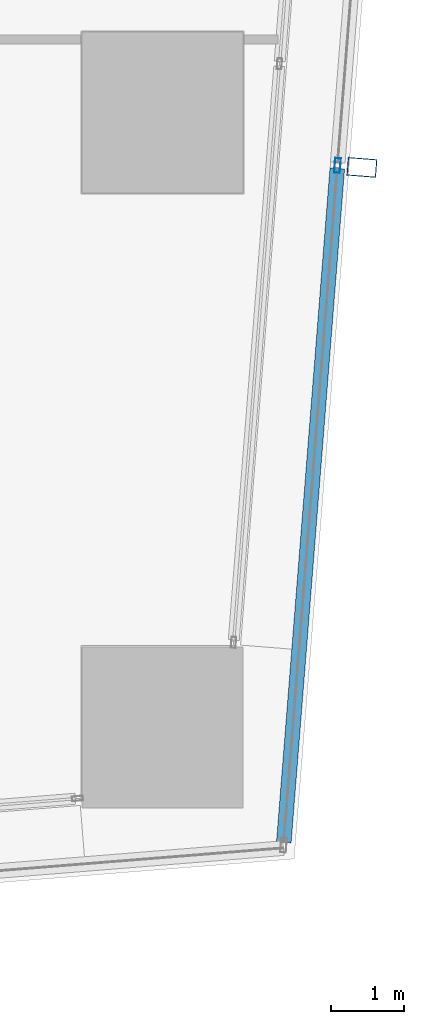
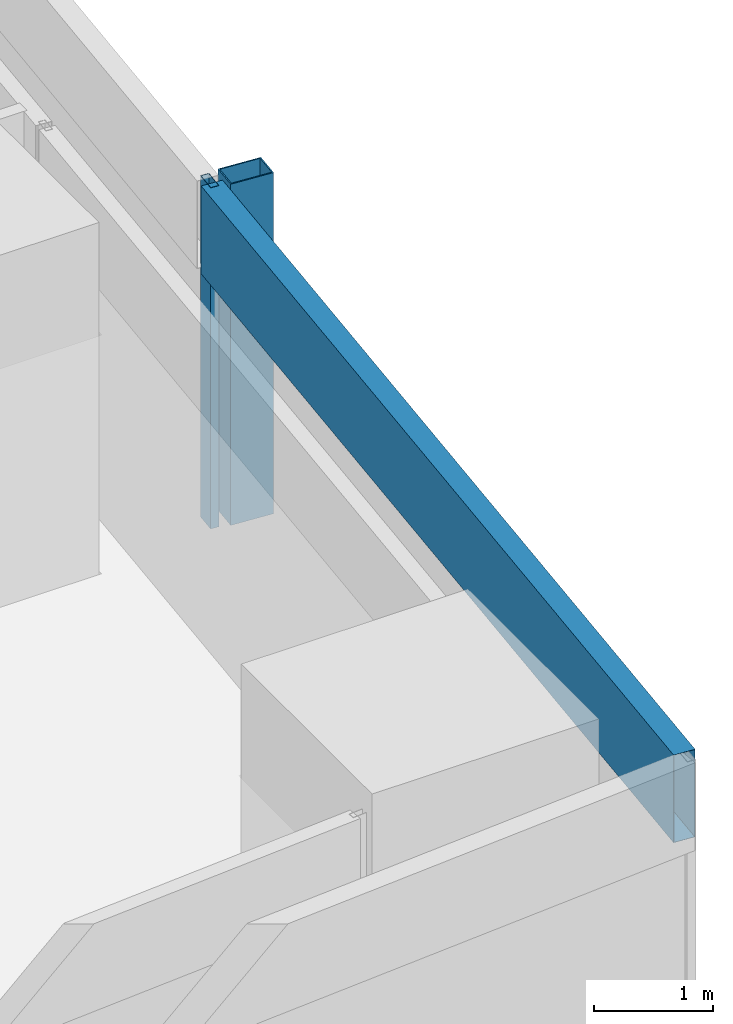
# One storey, part 25 of 42: 3 members, 1 element without a shape of its own.
"""IFC4 building model written with IfcOpenShell, lengths in metres."""

from ifc_helpers import new_model, si_unit, direction, frame, origin, origin_2d, place, context, subcontext, project, spatial, hollow_rectangle, extrude, material, material_profile, profile_set, type_object, element, aggregate, save


model = new_model("IFC4")

# Units and contexts
model_context = context("Model", 3, precision=1e-05, world=origin(), true_north=direction((0.0, 1.0)))
body_context = subcontext(model_context, "Body", "Model", "MODEL_VIEW")
ifc_project = project(units=[si_unit("LENGTHUNIT", "METRE"), si_unit("AREAUNIT", "SQUARE_METRE"), si_unit("VOLUMEUNIT", "CUBIC_METRE"), si_unit("PLANEANGLEUNIT", "RADIAN"), si_unit("MASSUNIT", "GRAM", prefix="KILO")], contexts=[model_context])

# Site, building, storey
site_placement = place(None, origin())
site = spatial("IfcSite", under=ifc_project, at=site_placement, CompositionType="ELEMENT")
building_placement = place(site_placement, origin())
building = spatial("IfcBuilding", under=site, at=building_placement, Name="Rekha Terrace Tower", CompositionType="ELEMENT")
storey_placement = place(building_placement, frame((0.0, 0.0, 70.39990234375)))
storey = spatial("IfcBuildingStorey", under=building, at=storey_placement, Name="L17", CompositionType="ELEMENT", Elevation=70.39990234375)

# Curtain wall, members
ifc_material_1 = material(Name="Aluminium framing", Category="aluminium")
curtain_wall_type = type_object("IfcCurtainWallType", Name="CW2 double skin outer glazing", PredefinedType="USERDEFINED", material=ifc_material_1)
curtain_wall_placement = place(storey_placement, origin())
curtain_wall = element("IfcCurtainWall", 1, at=curtain_wall_placement, inside=storey, type_object=curtain_wall_type, Name="CW2 double skin outer glazing", ObjectType="DOUBLE SKIN OUTER GLAZING", PredefinedType="USERDEFINED")
ifc_material_2 = material(Name="Steel S355 with fluorocarbon finish", Category="steel")
ifc_material_profile_1 = material_profile(ifc_material_2, hollow_rectangle(XDim=0.25, YDim=0.39990234375, WallThickness=0.012451171875, at=origin_2d()), Name="RHS400x250x12.5")
ifc_profile_set_1 = profile_set([ifc_material_profile_1], Name="Steel S355 with fluorocarbon finish")
member_type_1 = type_object("IfcMemberType", Name="BL1 facade blade RHS 400 x 250", PredefinedType="USERDEFINED", material=ifc_profile_set_1)
member_1_placement = place(storey_placement, frame((69.925537109375, 16.04931640625, 0.0), z_axis=(0.0, 0.0, 1.0), x_axis=(0.079116779322, 0.996865354614, 0.0)))
member_1 = element("IfcMember", 2, at=member_1_placement, type_object=member_type_1, Name="Facade blade", ObjectType="FACADE BLADE", PredefinedType="USERDEFINED", context=body_context, shape_type="SweptSolid", body=[
    extrude(hollow_rectangle(XDim=0.25, YDim=0.39990234375, WallThickness=0.012451171875, at=origin_2d()), origin(), (0.0, 0.0, 1.0), 3.5),
])
ifc_material_3 = material(Name="Aluminium mullion section", Category="aluminium")
ifc_material_profile_2 = material_profile(ifc_material_3, hollow_rectangle(XDim=0.080078125, YDim=0.199951171875, WallThickness=0.00390625, at=origin_2d()), Name="AL RHS 80x200")
ifc_profile_set_2 = profile_set([ifc_material_profile_2], Name="Aluminium mullion section")
member_type_2 = type_object("IfcMemberType", Name="CW2 mullion RHS 80 x 200", PredefinedType="MULLION", material=ifc_profile_set_2)
member_2_placement = place(storey_placement, frame((69.591552734375, 16.07568359375, 0.0), z_axis=(0.0, 0.0, 1.0), x_axis=(-0.996865392578, 0.079116300982, 0.0)))
member_2 = element("IfcMember", 3, at=member_2_placement, type_object=member_type_2, Name="CW2 mullion 2", PredefinedType="MULLION", context=body_context, shape_type="SweptSolid", body=[
    extrude(hollow_rectangle(XDim=0.080078125, YDim=0.199951171875, WallThickness=0.00390625, at=origin_2d()), origin(), (0.0, 0.0, 1.0), 3.5),
])
ifc_material_4 = material(Name="Insulated aluminium spandrel box", Category="aluminium")
ifc_material_profile_3 = material_profile(ifc_material_4, hollow_rectangle(XDim=0.199951171875, YDim=0.89990234375, WallThickness=0.0029296875, at=origin_2d()), Name="AL SPANDREL BOX 200x900")
ifc_profile_set_3 = profile_set([ifc_material_profile_3], Name="Insulated aluminium spandrel box")
member_type_3 = type_object("IfcMemberType", Name="CW2 spandrel transom 200 x 900", PredefinedType="USERDEFINED", material=ifc_profile_set_3)
member_3_placement = place(storey_placement, frame((68.857666015625, 6.828369140625, 3.050048828125), z_axis=(0.079111714731, 0.996865756555, 0.0), x_axis=(-0.996865756555, 0.079111714731, 0.0)))
member_3 = element("IfcMember", 4, at=member_3_placement, type_object=member_type_3, Name="CW2 spandrel transom 1", ObjectType="TRANSOM", PredefinedType="USERDEFINED", context=body_context, shape_type="SweptSolid", body=[
    extrude(hollow_rectangle(XDim=0.199951171875, YDim=0.89990234375, WallThickness=0.0029296875, at=origin_2d()), origin(), (0.0, 0.0, 1.0), 9.236572265625),
])
aggregate(curtain_wall, [member_2, member_3, member_1])

save(model, "model.ifc")
